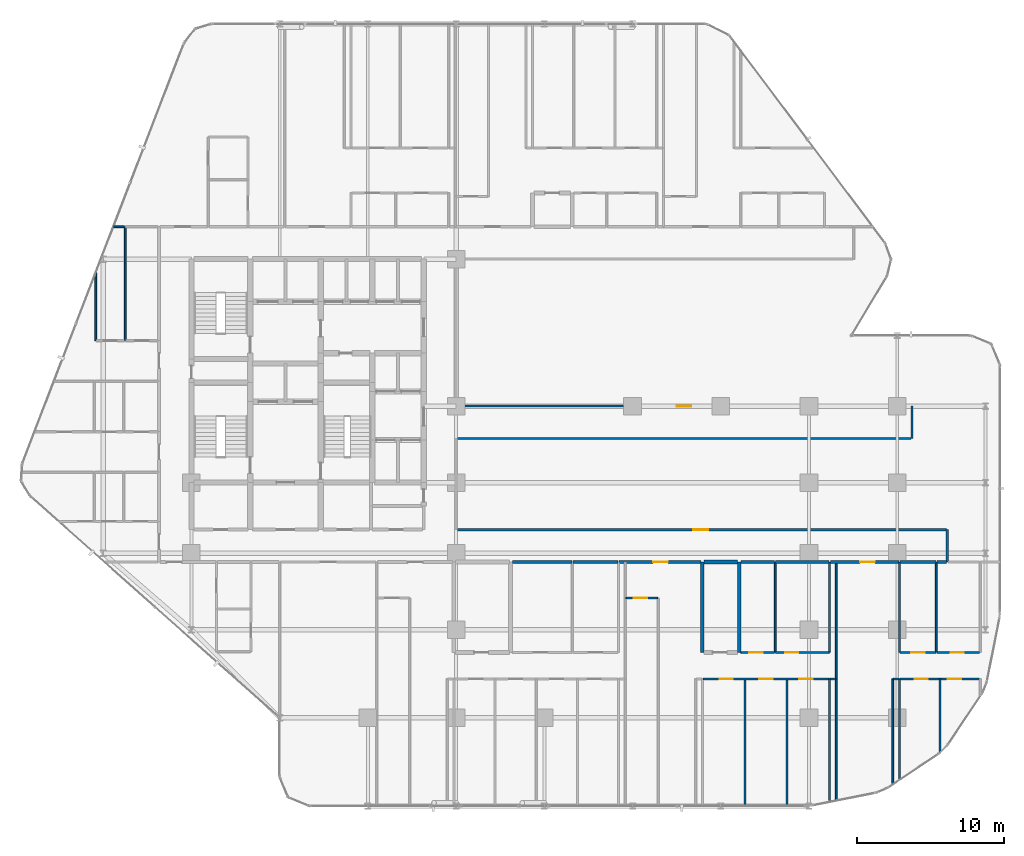
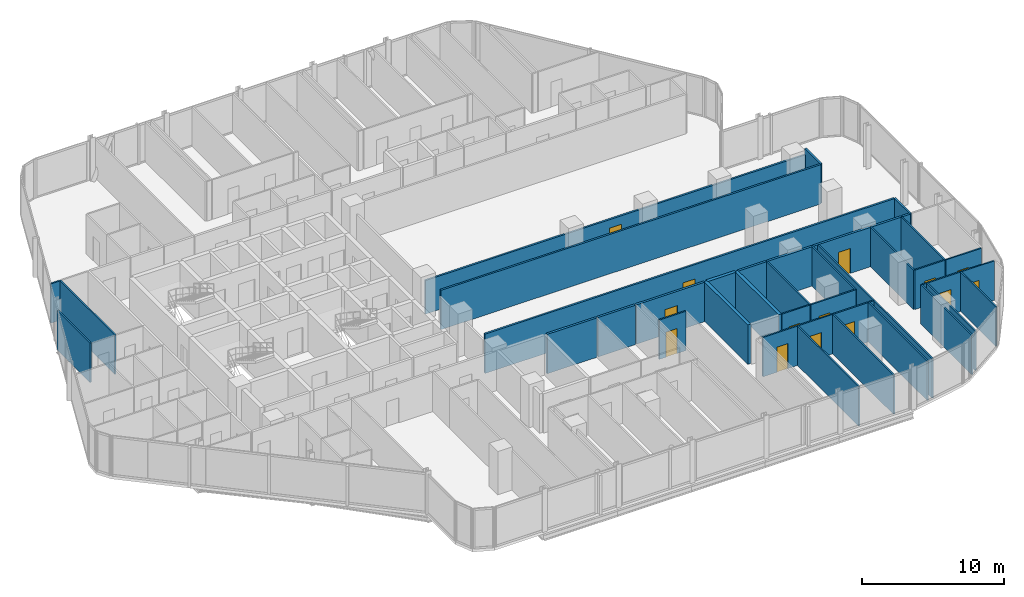
# One storey, part 29 of 34: 39 walls, 14 doors, 14 openings.
"""IFC4 building model written with IfcOpenShell, lengths in metres."""

import ifcopenshell
import ifcopenshell.guid

model = None  # the IFC model being written
_history = None  # IfcOwnerHistory: only IFC2X3 demands one
_inside = {}  # id of a spatial element -> (the spatial element, [elements in it])
_under = {}  # id of a project, library or spatial element -> (it, [spatial elements below it])
_declared = {}  # id of a project -> (the project, [libraries it declares])
_typed = {}  # id of a type object -> (the type object, [elements of that type])
_made_of = {}  # id of a material, layer set ... -> (it, [elements and type objects made of it])


def new_model(schema):
    """Start an empty IFC model of exactly this schema.

    Asked for "IFC4X3", IfcOpenShell would pick the latest addendum, in which some entities
    have other attributes; the version numbers below select the first issue.
    IFC2X3 requires an IfcOwnerHistory on every rooted entity: one is made here for all.
    """
    global model, _history
    if schema == "IFC4X3":
        model = ifcopenshell.file(schema_version=(4, 3, 0, 0))
    else:
        model = ifcopenshell.file(schema=schema)
    _inside.clear()
    _under.clear()
    _declared.clear()
    _typed.clear()
    _made_of.clear()
    _history = None
    if model.schema == "IFC2X3":
        org = make("IfcOrganization", Name="unknown")
        user = make(
            "IfcPersonAndOrganization",
            ThePerson=make("IfcPerson", FamilyName="unknown"),
            TheOrganization=org,
        )
        app = make(
            "IfcApplication",
            ApplicationDeveloper=org,
            Version="unknown",
            ApplicationFullName="unknown",
            ApplicationIdentifier="unknown",
        )
        _history = make(
            "IfcOwnerHistory",
            OwningUser=user,
            OwningApplication=app,
            ChangeAction="ADDED",
            CreationDate=0,
        )
    return model


def make(cls, **values):
    """One entity of the class cls with the attributes given. An attribute that is None is left unset."""
    return model.create_entity(
        cls, **{name: value for name, value in values.items() if value is not None}
    )


def rooted(cls, **values):
    """An entity with a GlobalId (a new one), such as an element, a storey or a relation."""
    return make(cls, GlobalId=ifcopenshell.guid.new(), OwnerHistory=_history, **values)


def si_unit(unit_type, name, prefix=None):
    """IfcSIUnit, for example si_unit("LENGTHUNIT", "METRE", prefix="MILLI")."""
    return make("IfcSIUnit", UnitType=unit_type, Prefix=prefix, Name=name)


def assignment(units):
    """IfcUnitAssignment: the units of a project."""
    return None if units is None else make("IfcUnitAssignment", Units=units)


def point(xyz):
    """IfcCartesianPoint."""
    return None if xyz is None else make("IfcCartesianPoint", Coordinates=xyz)


def direction(xyz):
    """IfcDirection."""
    return None if xyz is None else make("IfcDirection", DirectionRatios=xyz)


def frame(location, z_axis=None, x_axis=None):
    """IfcAxis2Placement3D, a coordinate frame: its origin and axes. An axis left out is left unset."""
    return make(
        "IfcAxis2Placement3D",
        Location=point(location),
        Axis=direction(z_axis),
        RefDirection=direction(x_axis),
    )


def frame_2d(location, x_axis=None):
    """IfcAxis2Placement2D, a coordinate frame in the plane: its origin and x axis."""
    return make(
        "IfcAxis2Placement2D", Location=point(location), RefDirection=direction(x_axis)
    )


def origin():
    """The frame at (0, 0, 0) with its axes left unset."""
    return frame((0.0, 0.0, 0.0))


def place(relative_to, where):
    """IfcLocalPlacement: puts the frame where relative to a parent placement (None: the world)."""
    return make(
        "IfcLocalPlacement", PlacementRelTo=relative_to, RelativePlacement=where
    )


def context(
    kind, dimensions, precision=None, world=None, true_north=None, identifier=None
):
    """IfcGeometricRepresentationContext, for example the 3D "Model" context."""
    return make(
        "IfcGeometricRepresentationContext",
        ContextIdentifier=identifier,
        ContextType=kind,
        CoordinateSpaceDimension=dimensions,
        Precision=precision,
        WorldCoordinateSystem=world,
        TrueNorth=true_north,
    )


def subcontext(parent, identifier, kind, view, scale=None):
    """IfcGeometricRepresentationSubContext, for example "Body" below "Model"."""
    return make(
        "IfcGeometricRepresentationSubContext",
        ContextIdentifier=identifier,
        ContextType=kind,
        ParentContext=parent,
        TargetScale=scale,
        TargetView=view,
    )


def project(units=None, contexts=None):
    """IfcProject with its units and contexts."""
    return rooted(
        "IfcProject",
        Name="project",
        RepresentationContexts=contexts,
        UnitsInContext=assignment(units),
    )


def spatial(cls, under=None, at=None, **own):
    """A site, building, storey or space (cls), placed at a placement, below another one or the project."""
    s = rooted(cls, ObjectPlacement=at, **own)
    if under is not None:
        _under.setdefault(under.id(), (under, []))[1].append(s)
    return s


def profile(cls, at=None, kind="AREA", **sizes):
    """A parametric profile (cls). Its sizes go by their IFC names, for example OverallWidth=200.0."""
    return make(cls, ProfileType=kind, Position=at, **sizes)


def rectangle(**sizes):
    """IfcRectangleProfileDef."""
    return profile("IfcRectangleProfileDef", **sizes)


def extrude(swept, where, along, depth):
    """IfcExtrudedAreaSolid: the profile swept, set in the frame where, extruded along a direction by depth."""
    return make(
        "IfcExtrudedAreaSolid",
        SweptArea=swept,
        Position=where,
        ExtrudedDirection=direction(along),
        Depth=depth,
    )


def shape(context_of_items, identifier, shape_type, items):
    """IfcShapeRepresentation: the items that make up one representation, for example the "Body"."""
    return make(
        "IfcShapeRepresentation",
        ContextOfItems=context_of_items,
        RepresentationIdentifier=identifier,
        RepresentationType=shape_type,
        Items=items,
    )


def material(Name=None, Category=None):
    """IfcMaterial."""
    return make("IfcMaterial", Name=Name, Category=Category)


def layer(
    of_material, thickness, ventilated=None, Name=None, Category=None, Priority=None
):
    """IfcMaterialLayer: one layer of a wall or slab, of a material (None: an air gap)."""
    return make(
        "IfcMaterialLayer",
        Material=of_material,
        LayerThickness=thickness,
        IsVentilated=ventilated,
        Name=Name,
        Category=Category,
        Priority=Priority,
    )


def layer_set(layers, Name=None):
    """IfcMaterialLayerSet."""
    return make("IfcMaterialLayerSet", MaterialLayers=layers, LayerSetName=Name)


def made_of(thing, what):
    """Note that an element or type object is made of a material, layer set ...; save() writes the relation."""
    if what is not None:
        _made_of.setdefault(what.id(), (what, []))[1].append(thing)
    return thing


def type_object(cls, material=None, **own):
    """A type object (cls), such as IfcWallType, which elements share."""
    return made_of(rooted(cls, **own), material)


def element(
    cls,
    number,
    at=None,
    inside=None,
    cuts=None,
    type_object=None,
    material=None,
    context=None,
    identifier="Body",
    shape_type=None,
    held_by="IfcProductDefinitionShape",
    body=None,
    shapes=None,
    **own,
):
    """One element of the class cls, such as IfcWall. Its Tag is "e" and its number.

    at: its placement. inside: the storey or other place that contains it. cuts: it is an
    opening in that element (IfcRelVoidsElement). A single representation is given by context,
    identifier, shape_type and body (its items); several are given by shapes. held_by: the class
    of the entity that holds the representations. save() writes the other relations.
    """
    e = rooted(cls, Tag="e%d" % number, ObjectPlacement=at, **own)
    if body is not None:
        shapes = [shape(context, identifier, shape_type, body)]
    if shapes is not None:
        e.Representation = make(held_by, Representations=shapes)
    if inside is not None:
        _inside.setdefault(inside.id(), (inside, []))[1].append(e)
    if cuts is not None:
        rooted(
            "IfcRelVoidsElement", RelatingBuildingElement=cuts, RelatedOpeningElement=e
        )
    if type_object is not None:
        _typed.setdefault(type_object.id(), (type_object, []))[1].append(e)
    return made_of(e, material)


def fill(opening, filler):
    """IfcRelFillsElement: the door or window that sits in an opening."""
    return rooted(
        "IfcRelFillsElement",
        RelatingOpeningElement=opening,
        RelatedBuildingElement=filler,
    )


def aggregate(whole, parts):
    """IfcRelAggregates: a whole, such as a stair, and the parts it consists of."""
    return rooted("IfcRelAggregates", RelatingObject=whole, RelatedObjects=parts)


def save(model, path):
    """Write the relations noted so far, then the file.

    IfcRelAggregates (storeys below a building ...), IfcRelContainedInSpatialStructure (elements
    in a storey), IfcRelDefinesByType, IfcRelAssociatesMaterial and IfcRelDeclares: one each for
    every whole, place, type object, material and project.
    """
    for whole, parts in _under.values():
        aggregate(whole, parts)
    for where, things in _inside.values():
        rooted(
            "IfcRelContainedInSpatialStructure",
            RelatedElements=things,
            RelatingStructure=where,
        )
    for kind, things in _typed.values():
        rooted("IfcRelDefinesByType", RelatedObjects=things, RelatingType=kind)
    for what, things in _made_of.values():
        rooted("IfcRelAssociatesMaterial", RelatedObjects=things, RelatingMaterial=what)
    for by, libraries in _declared.values():
        rooted("IfcRelDeclares", RelatingContext=by, RelatedDefinitions=libraries)
    model.write(path)


model = new_model("IFC4")

# Units and contexts
model_context = context("Model", 3, precision=1e-05, world=origin(), true_north=direction((0.0, 1.0)))
body_context = subcontext(model_context, "Body", "Model", "MODEL_VIEW")
ifc_project = project(units=[si_unit("LENGTHUNIT", "METRE"), si_unit("AREAUNIT", "SQUARE_METRE"), si_unit("VOLUMEUNIT", "CUBIC_METRE"), si_unit("PLANEANGLEUNIT", "RADIAN"), si_unit("MASSUNIT", "GRAM", prefix="KILO")], contexts=[model_context])

# Site, building, storey
site_placement = place(None, origin())
site = spatial("IfcSite", under=ifc_project, at=site_placement, CompositionType="ELEMENT")
building_placement = place(site_placement, origin())
building = spatial("IfcBuilding", under=site, at=building_placement, Name="Keshet Zoharim Tower", CompositionType="ELEMENT")
storey_placement = place(building_placement, frame((0.0, 0.0, 53.60009765625)))
storey = spatial("IfcBuildingStorey", under=building, at=storey_placement, Name="L12", CompositionType="ELEMENT", Elevation=53.60009765625)

# Walls
ifc_material_1 = material(Name="Gypsum Plasterboard", Category="gypsum")
ifc_layer_1 = layer(ifc_material_1, 0.14990234375)
ifc_layer_set_1 = layer_set([ifc_layer_1], Name="Gypsum Plasterboard")
wall_type_1 = type_object("IfcWallType", Name="WL-CLIN-150", PredefinedType="STANDARD", material=ifc_layer_set_1)
wall_1_placement = place(storey_placement, frame((64.0, 25.699951171875, 0.0), z_axis=(0.0, 0.0, 1.0), x_axis=(0.0, 1.0, 0.0)))
element("IfcWall", 1, at=wall_1_placement, inside=storey, type_object=wall_type_1, Name="L12 Interior Wall 121", PredefinedType="STANDARD", context=body_context, shape_type="SweptSolid", body=[
    extrude(rectangle(XDim=2.199951171875, YDim=0.14990234375, at=frame_2d((1.10009765625, 0.0))), origin(), (0.0, 0.0, 1.0), 3.385009765625),
])
wall_2_placement = place(storey_placement, frame((66.39990234375, 17.31005859375, 0.0), z_axis=(0.0, 0.0, 1.0), x_axis=(0.0, 1.0, 0.0)))
element("IfcWall", 2, at=wall_2_placement, inside=storey, type_object=wall_type_1, Name="L12 Interior Wall 124", PredefinedType="STANDARD", context=body_context, shape_type="SweptSolid", body=[
    extrude(rectangle(XDim=2.18994140625, YDim=0.14990234375, at=frame_2d((1.094970703125, 0.0))), origin(), (0.0, 0.0, 1.0), 3.385009765625),
])

# Wall, opening, door
wall_3_placement = place(storey_placement, frame((33.070068359375, 19.5, 0.0), z_axis=(0.0, 0.0, 1.0), x_axis=(1.0, 0.0, 0.0)))
wall_3 = element("IfcWall", 3, at=wall_3_placement, inside=storey, type_object=wall_type_1, Name="L12 Interior Wall 169", PredefinedType="STANDARD", context=body_context, shape_type="SweptSolid", body=[
    extrude(rectangle(XDim=33.27001953125, YDim=0.14990234375, at=frame_2d((16.635009765625, 0.0))), origin(), (0.0, 0.0, 1.0), 3.385009765625),
])
opening_1_placement = place(wall_3_placement, frame((16.06494140625, 0.0, 0.0)))
opening_1 = element("IfcOpeningElement", 4, at=opening_1_placement, cuts=wall_3, Name="Opening D-F310", PredefinedType="OPENING", context=body_context, shape_type="SweptSolid", body=[
    extrude(rectangle(XDim=1.0, YDim=2.14990234375, at=frame_2d((0.5, 1.074951171875))), frame((0.0, 0.0849609375, 0.0), z_axis=(0.0, -1.0, 0.0), x_axis=(1.0, 0.0, 0.0)), (0.0, 0.0, 1.0), 0.169921875),
])
ifc_material_2 = material(Name="Hardwood Timber", Category="wood")
door_type_1 = type_object("IfcDoorType", Name="DR-FD30-100", OperationType="NOTDEFINED", PredefinedType="DOOR", material=ifc_material_2)
door_1_placement = place(opening_1_placement, origin())
door_1 = element("IfcDoor", 5, at=door_1_placement, inside=storey, type_object=door_type_1, Name="L12 North East Residents Services Suite Door 1", OperationType="SINGLE_SWING_RIGHT", OverallHeight=2.14990234375, OverallWidth=1.0, PredefinedType="DOOR", context=body_context, shape_type="SweptSolid", body=[
    extrude(rectangle(XDim=1.0, YDim=2.14990234375, at=frame_2d((0.5, 1.074951171875))), frame((0.0, 0.02490234375, 0.0), z_axis=(0.0, -1.0, 0.0), x_axis=(1.0, 0.0, 0.0)), (0.0, 0.0, 1.0), 0.050048828125),
])
fill(opening_1, door_1)

# Wall
wall_4_placement = place(storey_placement, frame((33.070068359375, 25.699951171875, 0.0), z_axis=(0.0, 0.0, 1.0), x_axis=(1.0, 0.0, 0.0)))
element("IfcWall", 6, at=wall_4_placement, inside=storey, type_object=wall_type_1, Name="L12 Interior Wall 182", PredefinedType="STANDARD", context=body_context, shape_type="SweptSolid", body=[
    extrude(rectangle(XDim=30.869873046875, YDim=0.14990234375, at=frame_2d((15.43505859375, 0.0))), origin(), (0.0, 0.0, 1.0), 3.385009765625),
])

# Wall, opening, door
wall_5_placement = place(storey_placement, frame((33.070068359375, 27.89990234375, 0.0), z_axis=(0.0, 0.0, 1.0), x_axis=(1.0, 0.0, 0.0)))
wall_5 = element("IfcWall", 7, at=wall_5_placement, inside=storey, type_object=wall_type_1, Name="L12 Interior Wall 186", PredefinedType="STANDARD", context=body_context, shape_type="SweptSolid", body=[
    extrude(rectangle(XDim=30.869873046875, YDim=0.14990234375, at=frame_2d((15.43505859375, 0.0))), origin(), (0.0, 0.0, 1.0), 2.885009765625),
])
opening_2_placement = place(wall_5_placement, frame((14.93505859375, 0.0, 0.0)))
opening_2 = element("IfcOpeningElement", 8, at=opening_2_placement, cuts=wall_5, Name="Opening D-F310", PredefinedType="OPENING", context=body_context, shape_type="SweptSolid", body=[
    extrude(rectangle(XDim=1.0, YDim=2.14990234375, at=frame_2d((0.5, 1.074951171875))), frame((0.0, 0.0849609375, 0.0), z_axis=(0.0, -1.0, 0.0), x_axis=(1.0, 0.0, 0.0)), (0.0, 0.0, 1.0), 0.169921875),
])
door_2_placement = place(opening_2_placement, origin())
door_2 = element("IfcDoor", 9, at=door_2_placement, inside=storey, type_object=door_type_1, Name="L12 North East Residents Services Suite Door 2", OperationType="SINGLE_SWING_RIGHT", OverallHeight=2.14990234375, OverallWidth=1.0, PredefinedType="DOOR", context=body_context, shape_type="SweptSolid", body=[
    extrude(rectangle(XDim=1.0, YDim=2.14990234375, at=frame_2d((0.5, 1.074951171875))), frame((0.0, 0.02490234375, 0.0), z_axis=(0.0, -1.0, 0.0), x_axis=(1.0, 0.0, 0.0)), (0.0, 0.0, 1.0), 0.050048828125),
])
fill(opening_2, door_2)

# Walls
ifc_layer_2 = layer(ifc_material_1, 0.179931640625)
ifc_layer_set_2 = layer_set([ifc_layer_2], Name="Gypsum Plasterboard")
wall_type_2 = type_object("IfcWallType", Name="WL-CORR-180", PredefinedType="STANDARD", material=ifc_layer_set_2)
wall_6_placement = place(storey_placement, frame((36.8349609375, 17.300048828125, 0.0), z_axis=(0.0, 0.0, 1.0), x_axis=(1.0, 0.0, 0.0)))
element("IfcWall", 10, at=wall_6_placement, inside=storey, type_object=wall_type_2, Name="L12 Interior Wall 154", PredefinedType="STANDARD", context=body_context, shape_type="SweptSolid", body=[
    extrude(rectangle(XDim=4.033935546875, YDim=0.179931640625, at=frame_2d((2.01708984375, 0.0))), origin(), (0.0, 0.0, 1.0), 3.385009765625),
])
wall_7_placement = place(storey_placement, frame((40.958984375, 17.300048828125, 0.0), z_axis=(0.0, 0.0, 1.0), x_axis=(1.0, 0.0, 0.0)))
element("IfcWall", 11, at=wall_7_placement, inside=storey, type_object=wall_type_2, Name="L12 Interior Wall 155", PredefinedType="STANDARD", context=body_context, shape_type="SweptSolid", body=[
    extrude(rectangle(XDim=3.0458984375, YDim=0.179931640625, at=frame_2d((1.52294921875, 0.0))), origin(), (0.0, 0.0, 1.0), 3.385009765625),
])

# Wall, opening, door
wall_8_placement = place(storey_placement, frame((44.094970703125, 17.300048828125, 0.0), z_axis=(0.0, 0.0, 1.0), x_axis=(1.0, 0.0, 0.0)))
wall_8 = element("IfcWall", 12, at=wall_8_placement, inside=storey, type_object=wall_type_2, Name="L12 Interior Wall 156", PredefinedType="STANDARD", context=body_context, shape_type="SweptSolid", body=[
    extrude(rectangle(XDim=5.544921875, YDim=0.179931640625, at=frame_2d((2.7724609375, 0.0))), origin(), (0.0, 0.0, 1.0), 3.385009765625),
])
opening_3_placement = place(wall_8_placement, frame((2.304931640625, 0.0, 0.0)))
opening_3 = element("IfcOpeningElement", 13, at=opening_3_placement, cuts=wall_8, Name="Opening D-F310", PredefinedType="OPENING", context=body_context, shape_type="SweptSolid", body=[
    extrude(rectangle(XDim=1.0, YDim=2.14990234375, at=frame_2d((0.5, 1.074951171875))), frame((0.0, 0.10009765625, 0.0), z_axis=(0.0, -1.0, 0.0), x_axis=(1.0, 0.0, 0.0)), (0.0, 0.0, 1.0), 0.199951171875),
])
door_3_placement = place(opening_3_placement, origin())
door_3 = element("IfcDoor", 14, at=door_3_placement, inside=storey, type_object=door_type_1, Name="Apartment 1203 Entrance Door", OperationType="SINGLE_SWING_RIGHT", OverallHeight=2.14990234375, OverallWidth=1.0, PredefinedType="DOOR", context=body_context, shape_type="SweptSolid", body=[
    extrude(rectangle(XDim=1.0, YDim=2.14990234375, at=frame_2d((0.5, 1.074951171875))), frame((0.0, 0.02490234375, 0.0), z_axis=(0.0, -1.0, 0.0), x_axis=(1.0, 0.0, 0.0)), (0.0, 0.0, 1.0), 0.050048828125),
])
fill(opening_3, door_3)

# Walls
wall_9_placement = place(storey_placement, frame((52.37109375, 17.300048828125, 0.0), z_axis=(0.0, 0.0, 1.0), x_axis=(1.0, 0.0, 0.0)))
element("IfcWall", 15, at=wall_9_placement, inside=storey, type_object=wall_type_2, Name="L12 Interior Wall 158", PredefinedType="STANDARD", context=body_context, shape_type="SweptSolid", body=[
    extrude(rectangle(XDim=2.27001953125, YDim=0.179931640625, at=frame_2d((1.135009765625, 0.0))), origin(), (0.0, 0.0, 1.0), 3.385009765625),
])
wall_10_placement = place(storey_placement, frame((54.73095703125, 17.300048828125, 0.0), z_axis=(0.0, 0.0, 1.0), x_axis=(1.0, 0.0, 0.0)))
element("IfcWall", 16, at=wall_10_placement, inside=storey, type_object=wall_type_2, Name="L12 Interior Wall 159", PredefinedType="STANDARD", context=body_context, shape_type="SweptSolid", body=[
    extrude(rectangle(XDim=3.634033203125, YDim=0.179931640625, at=frame_2d((1.81689453125, 0.0))), origin(), (0.0, 0.0, 1.0), 3.385009765625),
])

# Wall, opening, door
wall_11_placement = place(storey_placement, frame((58.455078125, 17.300048828125, 0.0), z_axis=(0.0, 0.0, 1.0), x_axis=(1.0, 0.0, 0.0)))
wall_11 = element("IfcWall", 17, at=wall_11_placement, inside=storey, type_object=wall_type_2, Name="L12 Interior Wall 160", PredefinedType="STANDARD", context=body_context, shape_type="SweptSolid", body=[
    extrude(rectangle(XDim=4.64990234375, YDim=0.179931640625, at=frame_2d((2.324951171875, 0.0))), origin(), (0.0, 0.0, 1.0), 3.385009765625),
])
opening_4_placement = place(wall_11_placement, frame((2.02490234375, 0.0, 0.0)))
opening_4 = element("IfcOpeningElement", 18, at=opening_4_placement, cuts=wall_11, Name="Opening D-F310", PredefinedType="OPENING", context=body_context, shape_type="SweptSolid", body=[
    extrude(rectangle(XDim=1.0, YDim=2.14990234375, at=frame_2d((0.5, 1.074951171875))), frame((0.0, 0.10009765625, 0.0), z_axis=(0.0, -1.0, 0.0), x_axis=(1.0, 0.0, 0.0)), (0.0, 0.0, 1.0), 0.199951171875),
])
door_4_placement = place(opening_4_placement, origin())
door_4 = element("IfcDoor", 19, at=door_4_placement, inside=storey, type_object=door_type_1, Name="Apartment 1204 Entrance Door", OperationType="SINGLE_SWING_LEFT", OverallHeight=2.14990234375, OverallWidth=1.0, PredefinedType="DOOR", context=body_context, shape_type="SweptSolid", body=[
    extrude(rectangle(XDim=1.0, YDim=2.14990234375, at=frame_2d((0.5, 1.074951171875))), frame((0.0, 0.02490234375, 0.0), z_axis=(0.0, -1.0, 0.0), x_axis=(1.0, 0.0, 0.0)), (0.0, 0.0, 1.0), 0.050048828125),
])
fill(opening_4, door_4)

# Walls
wall_12_placement = place(storey_placement, frame((63.195068359375, 17.300048828125, 0.0), z_axis=(0.0, 0.0, 1.0), x_axis=(1.0, 0.0, 0.0)))
element("IfcWall", 20, at=wall_12_placement, inside=storey, type_object=wall_type_2, Name="L12 Interior Wall 161", PredefinedType="STANDARD", context=body_context, shape_type="SweptSolid", body=[
    extrude(rectangle(XDim=2.430908203125, YDim=0.179931640625, at=frame_2d((1.21533203125, 0.0))), origin(), (0.0, 0.0, 1.0), 3.385009765625),
])
wall_13_placement = place(storey_placement, frame((65.716064453125, 17.300048828125, 0.0), z_axis=(0.0, 0.0, 1.0), x_axis=(1.0, 0.0, 0.0)))
element("IfcWall", 21, at=wall_13_placement, inside=storey, type_object=wall_type_2, Name="L12 Interior Wall 162", PredefinedType="STANDARD", context=body_context, shape_type="SweptSolid", body=[
    extrude(rectangle(XDim=0.6240234375, YDim=0.179931640625, at=frame_2d((0.31201171875, 0.0))), origin(), (0.0, 0.0, 1.0), 3.385009765625),
])
ifc_material_3 = material(Name="Concrete C50/60", Category="concrete")
ifc_layer_3 = layer(ifc_material_3, 0.25)
ifc_layer_set_3 = layer_set([ifc_layer_3], Name="Concrete C50/60")
wall_type_3 = type_object("IfcWallType", Name="WL-MAMAD-250", PredefinedType="STANDARD", material=ifc_layer_set_3)
for number, where, z_axis, x_axis, name in (
    (22, (49.75, 11.14990234375, 0.0), (0.0, 0.0, 1.0), (0.0, 1.0, 0.0), "L12 Interior Wall 104"),
    (23, (52.25, 11.14990234375, 0.0), (0.0, 0.0, 1.0), (0.0, 1.0, 0.0), "L12 Interior Wall 106"),
):
    element("IfcWall", number, at=place(storey_placement, frame(where, z_axis=z_axis, x_axis=x_axis)), inside=storey, type_object=wall_type_3, Name=name, PredefinedType="STANDARD", context=body_context, shape_type="SweptSolid", body=[
        extrude(rectangle(XDim=6.150146484375, YDim=0.25, at=frame_2d((3.0751953125, 0.0))), origin(), (0.0, 0.0, 1.0), 3.385009765625),
    ])
wall_14_placement = place(storey_placement, frame((49.860107421875, 17.300048828125, 0.0), z_axis=(0.0, 0.0, 1.0), x_axis=(1.0, 0.0, 0.0)))
element("IfcWall", 24, at=wall_14_placement, inside=storey, type_object=wall_type_3, Name="L12 Interior Wall 157", PredefinedType="STANDARD", context=body_context, shape_type="SweptSolid", body=[
    extrude(rectangle(XDim=2.290771484375, YDim=0.25, at=frame_2d((1.1455078125, 0.0))), origin(), (0.0, 0.0, 1.0), 3.385009765625),
])
ifc_layer_4 = layer(ifc_material_1, 0.1201171875)
ifc_layer_set_4 = layer_set([ifc_layer_4], Name="Gypsum Plasterboard")
wall_type_4 = type_object("IfcWallType", Name="WL-PART-120", PredefinedType="PARTITIONING", material=ifc_layer_set_4)
wall_15_placement = place(storey_placement, frame((8.5, 32.360107421875, 0.0), z_axis=(0.0, 0.0, 1.0), x_axis=(0.0, 1.0, 0.0)))
element("IfcWall", 25, at=wall_15_placement, inside=storey, type_object=wall_type_4, Name="L12 Interior Wall 003", PredefinedType="PARTITIONING", context=body_context, shape_type="SweptSolid", body=[
    extrude(rectangle(XDim=4.6298828125, YDim=0.1201171875, at=frame_2d((2.31494140625, 0.0))), origin(), (0.0, 0.0, 1.0), 3.385009765625),
])
for number, where, z_axis, x_axis, name in (
    (26, (52.64990234375, 0.7099609375, 0.0), (0.0, 0.0, 1.0), (0.0, 1.0, 0.0), "L12 Interior Wall 109"),
    (27, (55.5, 0.7099609375, 0.0), (0.0, 0.0, 1.0), (0.0, 1.0, 0.0), "L12 Interior Wall 112"),
):
    element("IfcWall", number, at=place(storey_placement, frame(where, z_axis=z_axis, x_axis=x_axis)), inside=storey, type_object=wall_type_4, Name=name, PredefinedType="PARTITIONING", context=body_context, shape_type="SweptSolid", body=[
        extrude(rectangle(XDim=8.64013671875, YDim=0.1201171875, at=frame_2d((4.320068359375, 0.0))), origin(), (0.0, 0.0, 1.0), 3.385009765625),
    ])
wall_16_placement = place(storey_placement, frame((58.39990234375, 0.988037109375, 0.0), z_axis=(0.0, 0.0, 1.0), x_axis=(0.0, 1.0, 0.0)))
element("IfcWall", 28, at=wall_16_placement, inside=storey, type_object=wall_type_4, Name="L12 Interior Wall 114", PredefinedType="PARTITIONING", context=body_context, shape_type="SweptSolid", body=[
    extrude(rectangle(XDim=8.362060546875, YDim=0.1201171875, at=frame_2d((4.18115234375, 0.0))), origin(), (0.0, 0.0, 1.0), 3.385009765625),
])
wall_17_placement = place(storey_placement, frame((58.39990234375, 11.14990234375, 0.0), z_axis=(0.0, 0.0, 1.0), x_axis=(0.0, 1.0, 0.0)))
element("IfcWall", 29, at=wall_17_placement, inside=storey, type_object=wall_type_4, Name="L12 Interior Wall 115", PredefinedType="PARTITIONING", context=body_context, shape_type="SweptSolid", body=[
    extrude(rectangle(XDim=6.150146484375, YDim=0.1201171875, at=frame_2d((3.0751953125, 0.0))), origin(), (0.0, 0.0, 1.0), 3.385009765625),
])
wall_18_placement = place(storey_placement, frame((58.85009765625, 1.077880859375, 0.0), z_axis=(0.0, 0.0, 1.0), x_axis=(0.0, 1.0, 0.0)))
element("IfcWall", 30, at=wall_18_placement, inside=storey, type_object=wall_type_4, Name="L12 Interior Wall 116", PredefinedType="PARTITIONING", context=body_context, shape_type="SweptSolid", body=[
    extrude(rectangle(XDim=16.22216796875, YDim=0.1201171875, at=frame_2d((8.111083984375, 0.0))), origin(), (0.0, 0.0, 1.0), 3.385009765625),
])
wall_19_placement = place(storey_placement, frame((62.699951171875, 2.18408203125, 0.0), z_axis=(0.0, 0.0, 1.0), x_axis=(0.0, 1.0, 0.0)))
element("IfcWall", 31, at=wall_19_placement, inside=storey, type_object=wall_type_4, Name="L12 Interior Wall 118", PredefinedType="PARTITIONING", context=body_context, shape_type="SweptSolid", body=[
    extrude(rectangle(XDim=7.166015625, YDim=0.1201171875, at=frame_2d((3.5830078125, 0.0))), origin(), (0.0, 0.0, 1.0), 3.385009765625),
])
wall_20_placement = place(storey_placement, frame((63.14990234375, 2.485107421875, 0.0), z_axis=(0.0, 0.0, 1.0), x_axis=(0.0, 1.0, 0.0)))
element("IfcWall", 32, at=wall_20_placement, inside=storey, type_object=wall_type_4, Name="L12 Interior Wall 119", PredefinedType="PARTITIONING", context=body_context, shape_type="SweptSolid", body=[
    extrude(rectangle(XDim=6.864990234375, YDim=0.1201171875, at=frame_2d((3.4326171875, 0.0))), origin(), (0.0, 0.0, 1.0), 3.385009765625),
])
wall_21_placement = place(storey_placement, frame((63.14990234375, 11.14990234375, 0.0), z_axis=(0.0, 0.0, 1.0), x_axis=(0.0, 1.0, 0.0)))
element("IfcWall", 33, at=wall_21_placement, inside=storey, type_object=wall_type_4, Name="L12 Interior Wall 120", PredefinedType="PARTITIONING", context=body_context, shape_type="SweptSolid", body=[
    extrude(rectangle(XDim=6.150146484375, YDim=0.1201171875, at=frame_2d((3.0751953125, 0.0))), origin(), (0.0, 0.0, 1.0), 3.385009765625),
])
wall_22_placement = place(storey_placement, frame((65.89990234375, 4.3349609375, 0.0), z_axis=(0.0, 0.0, 1.0), x_axis=(0.0, 1.0, 0.0)))
element("IfcWall", 34, at=wall_22_placement, inside=storey, type_object=wall_type_4, Name="L12 Interior Wall 123", PredefinedType="PARTITIONING", context=body_context, shape_type="SweptSolid", body=[
    extrude(rectangle(XDim=5.01513671875, YDim=0.1201171875, at=frame_2d((2.507568359375, 0.0))), origin(), (0.0, 0.0, 1.0), 3.385009765625),
])

# Wall, openings, doors
wall_23_placement = place(storey_placement, frame((49.794921875, 9.35009765625, 0.0), z_axis=(0.0, 0.0, 1.0), x_axis=(1.0, 0.0, 0.0)))
wall_23 = element("IfcWall", 35, at=wall_23_placement, inside=storey, type_object=wall_type_4, Name="L12 Interior Wall 131", PredefinedType="PARTITIONING", context=body_context, shape_type="SweptSolid", body=[
    extrude(rectangle(XDim=8.570068359375, YDim=0.1201171875, at=frame_2d((4.28515625, 0.0))), origin(), (0.0, 0.0, 1.0), 3.385009765625),
])
opening_5_placement = place(wall_23_placement, frame((1.1240234375, 0.0, 0.0)))
opening_5 = element("IfcOpeningElement", 36, at=opening_5_placement, cuts=wall_23, Name="Opening D-IN90", PredefinedType="OPENING", context=body_context, shape_type="SweptSolid", body=[
    extrude(rectangle(XDim=0.89990234375, YDim=2.14990234375, at=frame_2d((0.449951171875, 1.074951171875))), frame((0.0, 0.070068359375, 0.0), z_axis=(0.0, -1.0, 0.0), x_axis=(1.0, 0.0, 0.0)), (0.0, 0.0, 1.0), 0.14013671875),
])
opening_6_placement = place(wall_23_placement, frame((3.8349609375, 0.0, 0.0)))
opening_6 = element("IfcOpeningElement", 37, at=opening_6_placement, cuts=wall_23, Name="Opening D-IN90", PredefinedType="OPENING", context=body_context, shape_type="SweptSolid", body=[
    extrude(rectangle(XDim=0.89990234375, YDim=2.14990234375, at=frame_2d((0.449951171875, 1.074951171875))), frame((0.0, 0.070068359375, 0.0), z_axis=(0.0, -1.0, 0.0), x_axis=(1.0, 0.0, 0.0)), (0.0, 0.0, 1.0), 0.14013671875),
])
opening_7_placement = place(wall_23_placement, frame((6.547119140625, 0.0, 0.0)))
opening_7 = element("IfcOpeningElement", 38, at=opening_7_placement, cuts=wall_23, Name="Opening D-IN90", PredefinedType="OPENING", context=body_context, shape_type="SweptSolid", body=[
    extrude(rectangle(XDim=0.89990234375, YDim=2.14990234375, at=frame_2d((0.449951171875, 1.074951171875))), frame((0.0, 0.070068359375, 0.0), z_axis=(0.0, -1.0, 0.0), x_axis=(1.0, 0.0, 0.0)), (0.0, 0.0, 1.0), 0.14013671875),
])
door_type_2 = type_object("IfcDoorType", Name="DR-INT-090", OperationType="NOTDEFINED", PredefinedType="DOOR", material=ifc_material_2)
door_5_placement = place(opening_5_placement, origin())
door_5 = element("IfcDoor", 39, at=door_5_placement, inside=storey, type_object=door_type_2, Name="Apartment 1203 Bedroom 1 Door", OperationType="SINGLE_SWING_RIGHT", OverallHeight=2.14990234375, OverallWidth=0.89990234375, PredefinedType="DOOR", context=body_context, shape_type="SweptSolid", body=[
    extrude(rectangle(XDim=0.89990234375, YDim=2.14990234375, at=frame_2d((0.449951171875, 1.074951171875))), frame((0.0, 0.02490234375, 0.0), z_axis=(0.0, -1.0, 0.0), x_axis=(1.0, 0.0, 0.0)), (0.0, 0.0, 1.0), 0.050048828125),
])
fill(opening_5, door_5)
door_6_placement = place(opening_6_placement, origin())
door_6 = element("IfcDoor", 40, at=door_6_placement, inside=storey, type_object=door_type_2, Name="Apartment 1203 Bedroom 2 Door", OperationType="SINGLE_SWING_LEFT", OverallHeight=2.14990234375, OverallWidth=0.89990234375, PredefinedType="DOOR", context=body_context, shape_type="SweptSolid", body=[
    extrude(rectangle(XDim=0.89990234375, YDim=2.14990234375, at=frame_2d((0.449951171875, 1.074951171875))), frame((0.0, 0.02490234375, 0.0), z_axis=(0.0, -1.0, 0.0), x_axis=(1.0, 0.0, 0.0)), (0.0, 0.0, 1.0), 0.050048828125),
])
fill(opening_6, door_6)
door_7_placement = place(opening_7_placement, origin())
door_7 = element("IfcDoor", 41, at=door_7_placement, inside=storey, type_object=door_type_2, Name="Apartment 1203 Bedroom 3 Door", OperationType="SINGLE_SWING_RIGHT", OverallHeight=2.14990234375, OverallWidth=0.89990234375, PredefinedType="DOOR", context=body_context, shape_type="SweptSolid", body=[
    extrude(rectangle(XDim=0.89990234375, YDim=2.14990234375, at=frame_2d((0.449951171875, 1.074951171875))), frame((0.0, 0.02490234375, 0.0), z_axis=(0.0, -1.0, 0.0), x_axis=(1.0, 0.0, 0.0)), (0.0, 0.0, 1.0), 0.050048828125),
])
fill(opening_7, door_7)

# Walls
for number, where, z_axis, x_axis, name in (
    (42, (58.455078125, 9.35009765625, 0.0), (0.0, 0.0, 1.0), (1.0, 0.0, 0.0), "L12 Interior Wall 132"),
    (43, (62.7451171875, 9.35009765625, 0.0), (0.0, 0.0, 1.0), (1.0, 0.0, 0.0), "L12 Interior Wall 133"),
):
    element("IfcWall", number, at=place(storey_placement, frame(where, z_axis=z_axis, x_axis=x_axis)), inside=storey, type_object=wall_type_4, Name=name, PredefinedType="PARTITIONING", context=body_context, shape_type="SweptSolid", body=[
        extrude(rectangle(XDim=0.35986328125, YDim=0.1201171875, at=frame_2d((0.179931640625, 0.0))), origin(), (0.0, 0.0, 1.0), 3.385009765625),
    ])

# Wall, openings, doors
wall_24_placement = place(storey_placement, frame((63.195068359375, 9.35009765625, 0.0), z_axis=(0.0, 0.0, 1.0), x_axis=(1.0, 0.0, 0.0)))
wall_24 = element("IfcWall", 44, at=wall_24_placement, inside=storey, type_object=wall_type_4, Name="L12 Interior Wall 134", PredefinedType="PARTITIONING", context=body_context, shape_type="SweptSolid", body=[
    extrude(rectangle(XDim=5.390869140625, YDim=0.1201171875, at=frame_2d((2.6953125, 0.0))), origin(), (0.0, 0.0, 1.0), 3.385009765625),
])
opening_8_placement = place(wall_24_placement, frame((0.97900390625, 0.0, 0.0)))
opening_8 = element("IfcOpeningElement", 45, at=opening_8_placement, cuts=wall_24, Name="Opening D-IN90", PredefinedType="OPENING", context=body_context, shape_type="SweptSolid", body=[
    extrude(rectangle(XDim=0.89990234375, YDim=2.14990234375, at=frame_2d((0.449951171875, 1.074951171875))), frame((0.0, 0.070068359375, 0.0), z_axis=(0.0, -1.0, 0.0), x_axis=(1.0, 0.0, 0.0)), (0.0, 0.0, 1.0), 0.14013671875),
])
opening_9_placement = place(wall_24_placement, frame((3.2509765625, 0.0, 0.0)))
opening_9 = element("IfcOpeningElement", 46, at=opening_9_placement, cuts=wall_24, Name="Opening D-IN90", PredefinedType="OPENING", context=body_context, shape_type="SweptSolid", body=[
    extrude(rectangle(XDim=0.89990234375, YDim=2.14990234375, at=frame_2d((0.449951171875, 1.074951171875))), frame((0.0, 0.070068359375, 0.0), z_axis=(0.0, -1.0, 0.0), x_axis=(1.0, 0.0, 0.0)), (0.0, 0.0, 1.0), 0.14013671875),
])
door_8_placement = place(opening_8_placement, origin())
door_8 = element("IfcDoor", 47, at=door_8_placement, inside=storey, type_object=door_type_2, Name="Apartment 1204 Bedroom 1 Door", OperationType="SINGLE_SWING_LEFT", OverallHeight=2.14990234375, OverallWidth=0.89990234375, PredefinedType="DOOR", context=body_context, shape_type="SweptSolid", body=[
    extrude(rectangle(XDim=0.89990234375, YDim=2.14990234375, at=frame_2d((0.449951171875, 1.074951171875))), frame((0.0, 0.02490234375, 0.0), z_axis=(0.0, -1.0, 0.0), x_axis=(1.0, 0.0, 0.0)), (0.0, 0.0, 1.0), 0.050048828125),
])
fill(opening_8, door_8)
door_9_placement = place(opening_9_placement, origin())
door_9 = element("IfcDoor", 48, at=door_9_placement, inside=storey, type_object=door_type_2, Name="Apartment 1204 Bedroom 2 Door", OperationType="SINGLE_SWING_RIGHT", OverallHeight=2.14990234375, OverallWidth=0.89990234375, PredefinedType="DOOR", context=body_context, shape_type="SweptSolid", body=[
    extrude(rectangle(XDim=0.89990234375, YDim=2.14990234375, at=frame_2d((0.449951171875, 1.074951171875))), frame((0.0, 0.02490234375, 0.0), z_axis=(0.0, -1.0, 0.0), x_axis=(1.0, 0.0, 0.0)), (0.0, 0.0, 1.0), 0.050048828125),
])
fill(opening_9, door_9)

# Wall, opening, door
wall_25_placement = place(storey_placement, frame((54.73095703125, 11.14990234375, 0.0), z_axis=(0.0, 0.0, 1.0), x_axis=(1.0, 0.0, 0.0)))
wall_25 = element("IfcWall", 49, at=wall_25_placement, inside=storey, type_object=wall_type_4, Name="L12 Interior Wall 140", PredefinedType="PARTITIONING", context=body_context, shape_type="SweptSolid", body=[
    extrude(rectangle(XDim=3.634033203125, YDim=0.1201171875, at=frame_2d((1.81689453125, 0.0))), origin(), (0.0, 0.0, 1.0), 3.385009765625),
])
opening_10_placement = place(wall_25_placement, frame((0.64404296875, 0.0, 0.0)))
opening_10 = element("IfcOpeningElement", 50, at=opening_10_placement, cuts=wall_25, Name="Opening D-IN90", PredefinedType="OPENING", context=body_context, shape_type="SweptSolid", body=[
    extrude(rectangle(XDim=0.89990234375, YDim=2.14990234375, at=frame_2d((0.449951171875, 1.074951171875))), frame((0.0, 0.070068359375, 0.0), z_axis=(0.0, -1.0, 0.0), x_axis=(1.0, 0.0, 0.0)), (0.0, 0.0, 1.0), 0.14013671875),
])
door_10_placement = place(opening_10_placement, origin())
door_10 = element("IfcDoor", 51, at=door_10_placement, inside=storey, type_object=door_type_2, Name="Apartment 1203 Kitchen Door", OperationType="SINGLE_SWING_RIGHT", OverallHeight=2.14990234375, OverallWidth=0.89990234375, PredefinedType="DOOR", context=body_context, shape_type="SweptSolid", body=[
    extrude(rectangle(XDim=0.89990234375, YDim=2.14990234375, at=frame_2d((0.449951171875, 1.074951171875))), frame((0.0, 0.02490234375, 0.0), z_axis=(0.0, -1.0, 0.0), x_axis=(1.0, 0.0, 0.0)), (0.0, 0.0, 1.0), 0.050048828125),
])
fill(opening_10, door_10)

wall_26_placement = place(storey_placement, frame((63.195068359375, 11.14990234375, 0.0), z_axis=(0.0, 0.0, 1.0), x_axis=(1.0, 0.0, 0.0)))
wall_26 = element("IfcWall", 52, at=wall_26_placement, inside=storey, type_object=wall_type_4, Name="L12 Interior Wall 141", PredefinedType="PARTITIONING", context=body_context, shape_type="SweptSolid", body=[
    extrude(rectangle(XDim=2.430908203125, YDim=0.1201171875, at=frame_2d((1.21533203125, 0.0))), origin(), (0.0, 0.0, 1.0), 3.385009765625),
])
opening_11_placement = place(wall_26_placement, frame((0.764892578125, 0.0, 0.0)))
opening_11 = element("IfcOpeningElement", 53, at=opening_11_placement, cuts=wall_26, Name="Opening D-IN90", PredefinedType="OPENING", context=body_context, shape_type="SweptSolid", body=[
    extrude(rectangle(XDim=0.89990234375, YDim=2.14990234375, at=frame_2d((0.449951171875, 1.074951171875))), frame((0.0, 0.070068359375, 0.0), z_axis=(0.0, -1.0, 0.0), x_axis=(1.0, 0.0, 0.0)), (0.0, 0.0, 1.0), 0.14013671875),
])
door_11_placement = place(opening_11_placement, origin())
door_11 = element("IfcDoor", 54, at=door_11_placement, inside=storey, type_object=door_type_2, Name="Apartment 1204 Kitchen Door", OperationType="SINGLE_SWING_LEFT", OverallHeight=2.14990234375, OverallWidth=0.89990234375, PredefinedType="DOOR", context=body_context, shape_type="SweptSolid", body=[
    extrude(rectangle(XDim=0.89990234375, YDim=2.14990234375, at=frame_2d((0.449951171875, 1.074951171875))), frame((0.0, 0.02490234375, 0.0), z_axis=(0.0, -1.0, 0.0), x_axis=(1.0, 0.0, 0.0)), (0.0, 0.0, 1.0), 0.050048828125),
])
fill(opening_11, door_11)

wall_27_placement = place(storey_placement, frame((44.544921875, 14.85009765625, 0.0), z_axis=(0.0, 0.0, 1.0), x_axis=(1.0, 0.0, 0.0)))
wall_27 = element("IfcWall", 55, at=wall_27_placement, inside=storey, type_object=wall_type_4, Name="L12 Interior Wall 146", PredefinedType="PARTITIONING", context=body_context, shape_type="SweptSolid", body=[
    extrude(rectangle(XDim=2.16015625, YDim=0.1201171875, at=frame_2d((1.080078125, 0.0))), origin(), (0.0, 0.0, 1.0), 3.385009765625),
])
opening_12_placement = place(wall_27_placement, frame((0.552978515625, 0.0, 0.0)))
opening_12 = element("IfcOpeningElement", 56, at=opening_12_placement, cuts=wall_27, Name="Opening D-IN90", PredefinedType="OPENING", context=body_context, shape_type="SweptSolid", body=[
    extrude(rectangle(XDim=0.89990234375, YDim=2.14990234375, at=frame_2d((0.449951171875, 1.074951171875))), frame((0.0, 0.070068359375, 0.0), z_axis=(0.0, -1.0, 0.0), x_axis=(1.0, 0.0, 0.0)), (0.0, 0.0, 1.0), 0.14013671875),
])
door_12_placement = place(opening_12_placement, origin())
door_12 = element("IfcDoor", 57, at=door_12_placement, inside=storey, type_object=door_type_2, Name="Apartment 1203 Formal Dining Room Door", OperationType="SINGLE_SWING_RIGHT", OverallHeight=2.14990234375, OverallWidth=0.89990234375, PredefinedType="DOOR", context=body_context, shape_type="SweptSolid", body=[
    extrude(rectangle(XDim=0.89990234375, YDim=2.14990234375, at=frame_2d((0.449951171875, 1.074951171875))), frame((0.0, 0.02490234375, 0.0), z_axis=(0.0, -1.0, 0.0), x_axis=(1.0, 0.0, 0.0)), (0.0, 0.0, 1.0), 0.050048828125),
])
fill(opening_12, door_12)

# Walls
wall_28_placement = place(storey_placement, frame((9.701904296875, 40.10009765625, 0.0), z_axis=(0.0, 0.0, 1.0), x_axis=(1.0, 0.0, 0.0)))
element("IfcWall", 58, at=wall_28_placement, inside=storey, type_object=wall_type_4, Name="L12 Interior Wall 204", PredefinedType="PARTITIONING", context=body_context, shape_type="SweptSolid", body=[
    extrude(rectangle(XDim=0.731201171875, YDim=0.1201171875, at=frame_2d((0.36572265625, 0.0))), origin(), (0.0, 0.0, 1.0), 3.385009765625),
])
ifc_layer_5 = layer(ifc_material_1, 0.1201171875)
ifc_layer_set_5 = layer_set([ifc_layer_5], Name="Gypsum Plasterboard")
wall_type_5 = type_object("IfcWallType", Name="WL-WET-120", PredefinedType="PARTITIONING", material=ifc_layer_set_5)
wall_29_placement = place(storey_placement, frame((10.5, 32.360107421875, 0.0), z_axis=(0.0, 0.0, 1.0), x_axis=(0.0, 1.0, 0.0)))
element("IfcWall", 59, at=wall_29_placement, inside=storey, type_object=wall_type_5, Name="L12 Interior Wall 006", PredefinedType="PARTITIONING", context=body_context, shape_type="SweptSolid", body=[
    extrude(rectangle(XDim=7.739990234375, YDim=0.1201171875, at=frame_2d((3.8701171875, 0.0))), origin(), (0.0, 0.0, 1.0), 3.385009765625),
])
for number, where, z_axis, x_axis, name in (
    (60, (54.699951171875, 11.14990234375, 0.0), (0.0, 0.0, 1.0), (0.0, 1.0, 0.0), "L12 Interior Wall 110"),
    (61, (65.64990234375, 11.14990234375, 0.0), (0.0, 0.0, 1.0), (0.0, 1.0, 0.0), "L12 Interior Wall 122"),
):
    element("IfcWall", number, at=place(storey_placement, frame(where, z_axis=z_axis, x_axis=x_axis)), inside=storey, type_object=wall_type_5, Name=name, PredefinedType="PARTITIONING", context=body_context, shape_type="SweptSolid", body=[
        extrude(rectangle(XDim=6.150146484375, YDim=0.1201171875, at=frame_2d((3.0751953125, 0.0))), origin(), (0.0, 0.0, 1.0), 3.385009765625),
    ])

# Wall, opening, door
wall_30_placement = place(storey_placement, frame((52.37109375, 11.14990234375, 0.0), z_axis=(0.0, 0.0, 1.0), x_axis=(1.0, 0.0, 0.0)))
wall_30 = element("IfcWall", 62, at=wall_30_placement, inside=storey, type_object=wall_type_5, Name="L12 Interior Wall 139", PredefinedType="PARTITIONING", context=body_context, shape_type="SweptSolid", body=[
    extrude(rectangle(XDim=2.27001953125, YDim=0.1201171875, at=frame_2d((1.135009765625, 0.0))), origin(), (0.0, 0.0, 1.0), 3.385009765625),
])
opening_13_placement = place(wall_30_placement, frame((0.580078125, 0.0, 0.0)))
opening_13 = element("IfcOpeningElement", 63, at=opening_13_placement, cuts=wall_30, Name="Opening D-WT90", PredefinedType="OPENING", context=body_context, shape_type="SweptSolid", body=[
    extrude(rectangle(XDim=0.89990234375, YDim=2.10009765625, at=frame_2d((0.449951171875, 1.050048828125))), frame((0.0, 0.070068359375, 0.0), z_axis=(0.0, -1.0, 0.0), x_axis=(1.0, 0.0, 0.0)), (0.0, 0.0, 1.0), 0.14013671875),
])
door_type_3 = type_object("IfcDoorType", Name="DR-WET-090", OperationType="NOTDEFINED", PredefinedType="DOOR", material=ifc_material_2)
door_13_placement = place(opening_13_placement, origin())
door_13 = element("IfcDoor", 64, at=door_13_placement, inside=storey, type_object=door_type_3, Name="Apartment 1203 Bathroom Door", OperationType="SINGLE_SWING_LEFT", OverallHeight=2.10009765625, OverallWidth=0.89990234375, PredefinedType="DOOR", context=body_context, shape_type="SweptSolid", body=[
    extrude(rectangle(XDim=0.89990234375, YDim=2.10009765625, at=frame_2d((0.449951171875, 1.050048828125))), frame((0.0, 0.02490234375, 0.0), z_axis=(0.0, -1.0, 0.0), x_axis=(1.0, 0.0, 0.0)), (0.0, 0.0, 1.0), 0.050048828125),
])
fill(opening_13, door_13)

wall_31_placement = place(storey_placement, frame((65.716064453125, 11.14990234375, 0.0), z_axis=(0.0, 0.0, 1.0), x_axis=(1.0, 0.0, 0.0)))
wall_31 = element("IfcWall", 65, at=wall_31_placement, inside=storey, type_object=wall_type_5, Name="L12 Interior Wall 142", PredefinedType="PARTITIONING", context=body_context, shape_type="SweptSolid", body=[
    extrude(rectangle(XDim=2.869873046875, YDim=0.1201171875, at=frame_2d((1.43505859375, 0.0))), origin(), (0.0, 0.0, 1.0), 3.385009765625),
])
opening_14_placement = place(wall_31_placement, frame((0.9140625, 0.0, 0.0)))
opening_14 = element("IfcOpeningElement", 66, at=opening_14_placement, cuts=wall_31, Name="Opening D-WT90", PredefinedType="OPENING", context=body_context, shape_type="SweptSolid", body=[
    extrude(rectangle(XDim=0.89990234375, YDim=2.10009765625, at=frame_2d((0.449951171875, 1.050048828125))), frame((0.0, 0.070068359375, 0.0), z_axis=(0.0, -1.0, 0.0), x_axis=(1.0, 0.0, 0.0)), (0.0, 0.0, 1.0), 0.14013671875),
])
door_14_placement = place(opening_14_placement, origin())
door_14 = element("IfcDoor", 67, at=door_14_placement, inside=storey, type_object=door_type_3, Name="Apartment 1204 Bathroom Door", OperationType="SINGLE_SWING_RIGHT", OverallHeight=2.10009765625, OverallWidth=0.89990234375, PredefinedType="DOOR", context=body_context, shape_type="SweptSolid", body=[
    extrude(rectangle(XDim=0.89990234375, YDim=2.10009765625, at=frame_2d((0.449951171875, 1.050048828125))), frame((0.0, 0.02490234375, 0.0), z_axis=(0.0, -1.0, 0.0), x_axis=(1.0, 0.0, 0.0)), (0.0, 0.0, 1.0), 0.050048828125),
])
fill(opening_14, door_14)

save(model, "model.ifc")
